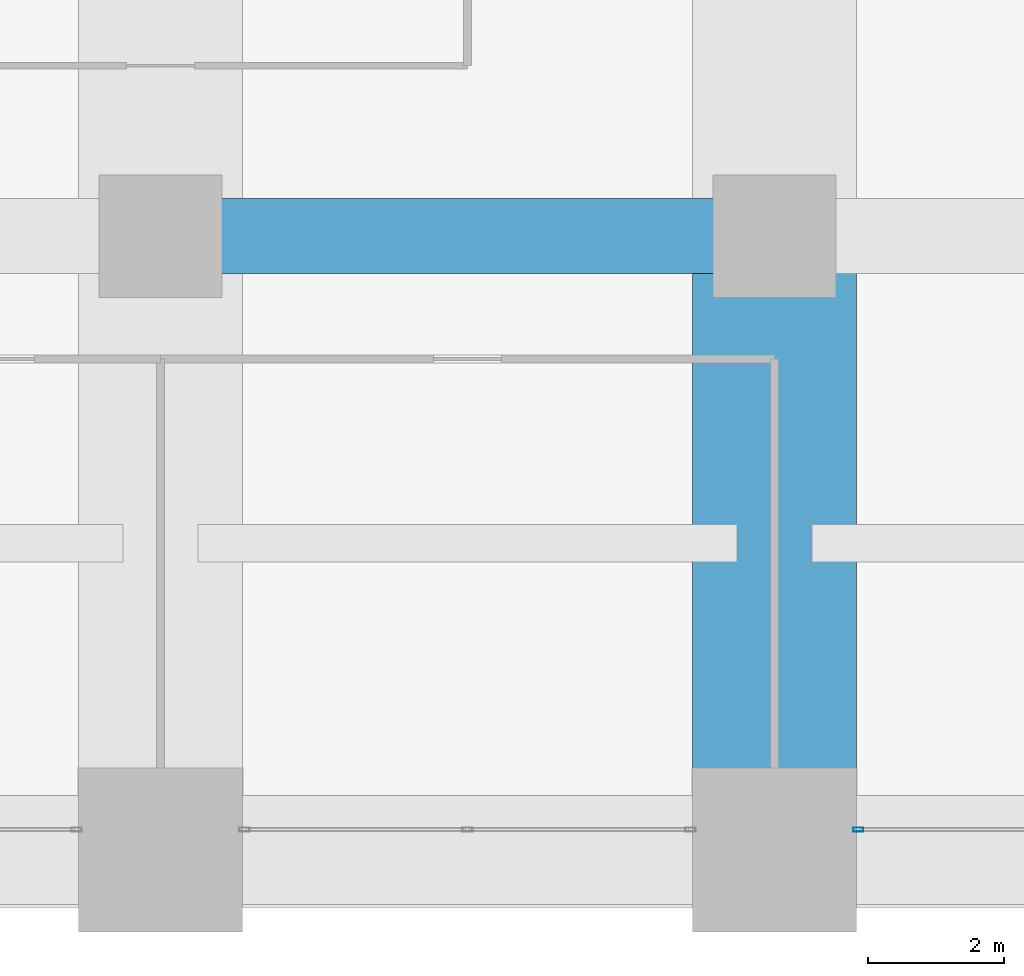
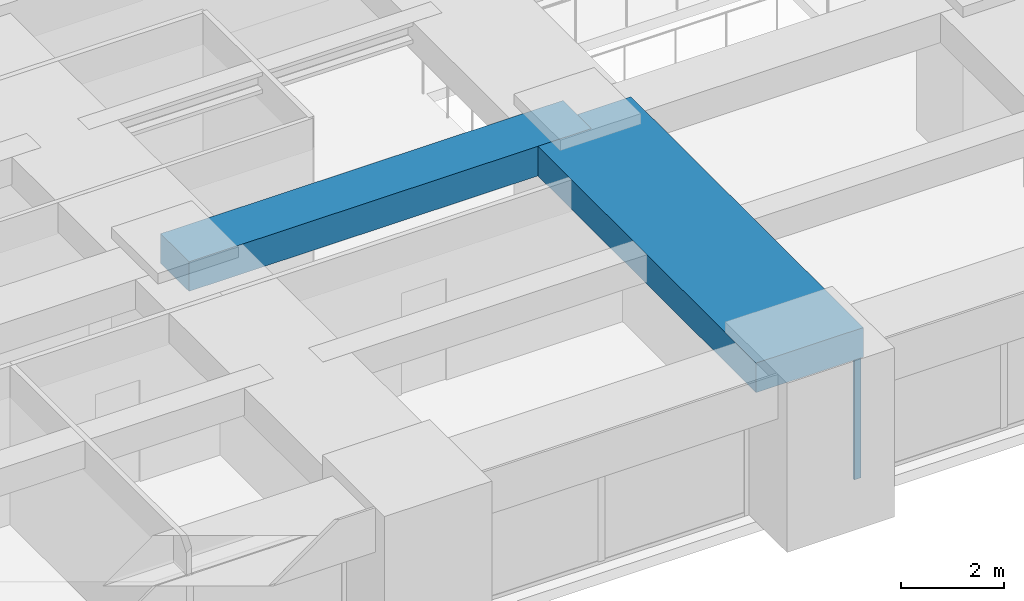
# One storey, part 7 of 43: 2 beams, 1 member, 1 element without a shape of its own.
"""IFC4 building model written with IfcOpenShell, lengths in metres."""

from ifc_helpers import new_model, si_unit, direction, frame, origin, origin_2d, place, context, subcontext, project, spatial, rectangle, hollow_rectangle, extrude, material, material_profile, profile_set, type_object, element, aggregate, save


model = new_model("IFC4")

# Units and contexts
model_context = context("Model", 3, precision=1e-05, world=origin(), true_north=direction((0.0, 1.0)))
body_context = subcontext(model_context, "Body", "Model", "MODEL_VIEW")
ifc_project = project(units=[si_unit("LENGTHUNIT", "METRE"), si_unit("AREAUNIT", "SQUARE_METRE"), si_unit("VOLUMEUNIT", "CUBIC_METRE"), si_unit("PLANEANGLEUNIT", "RADIAN"), si_unit("MASSUNIT", "GRAM", prefix="KILO")], contexts=[model_context])

# Site, building, storey
site_placement = place(None, origin())
site = spatial("IfcSite", under=ifc_project, at=site_placement, CompositionType="ELEMENT")
building_placement = place(site_placement, origin())
building = spatial("IfcBuilding", under=site, at=building_placement, Name="Zorevar Civic Tower", CompositionType="ELEMENT")
storey_placement = place(building_placement, frame((0.0, 0.0, 141.0)))
storey = spatial("IfcBuildingStorey", under=building, at=storey_placement, Name="L34", CompositionType="ELEMENT", Elevation=141.0)

# Beams
ifc_material_1 = material(Name="Concrete C50/60", Category="concrete")
ifc_material_profile_1 = material_profile(ifc_material_1, rectangle(XDim=1.10009765625, YDim=0.699951171875, at=origin_2d()), Name="RC 1100x700")
ifc_profile_set_1 = profile_set([ifc_material_profile_1], Name="Concrete C50/60")
beam_type_1 = type_object("IfcBeamType", Name="Beam RC 1100x700", PredefinedType="BEAM", material=ifc_profile_set_1)
beam_1_placement = place(storey_placement, frame((18.0, 9.0, 3.39990234375), z_axis=(1.0, 0.0, 0.0), x_axis=(0.0, 1.0, 0.0)))
element("IfcBeam", 1, at=beam_1_placement, inside=storey, type_object=beam_type_1, Name="Girder L35", PredefinedType="BEAM", context=body_context, shape_type="SweptSolid", body=[
    extrude(rectangle(XDim=1.10009765625, YDim=0.699951171875, at=origin_2d()), origin(), (0.0, 0.0, 1.0), 9.0),
])
ifc_material_2 = material(Name="Concrete C50/60", Category="concrete")
ifc_material_profile_2 = material_profile(ifc_material_2, rectangle(XDim=2.39990234375, YDim=0.699951171875, at=origin_2d()), Name="RC 2400x700")
ifc_profile_set_2 = profile_set([ifc_material_profile_2], Name="Concrete C50/60")
beam_type_2 = type_object("IfcBeamType", Name="Beam RC 2400x700", PredefinedType="BEAM", material=ifc_profile_set_2)
beam_2_placement = place(storey_placement, frame((27.0, 0.0, 3.39990234375), z_axis=(0.0, 1.0, 0.0), x_axis=(-1.0, 0.0, 0.0)))
element("IfcBeam", 2, at=beam_2_placement, inside=storey, type_object=beam_type_2, Name="Girder L35", PredefinedType="BEAM", context=body_context, shape_type="SweptSolid", body=[
    extrude(rectangle(XDim=2.39990234375, YDim=0.699951171875, at=origin_2d()), origin(), (0.0, 0.0, 1.0), 9.0),
])

# Curtain wall, member
ifc_material_3 = material(Name="Dark grey solar-control glass in black aluminium frame", Category="aluminium")
curtain_wall_type = type_object("IfcCurtainWallType", Name="Curtain wall CW3 mid zone", PredefinedType="NOTDEFINED", material=ifc_material_3)
curtain_wall_placement = place(storey_placement, origin())
curtain_wall = element("IfcCurtainWall", 3, at=curtain_wall_placement, inside=storey, type_object=curtain_wall_type, Name="CW3 L34", PredefinedType="NOTDEFINED")
ifc_material_4 = material(Name="Aluminium, black anodised", Category="aluminium")
ifc_material_profile_3 = material_profile(ifc_material_4, hollow_rectangle(XDim=0.06005859375, YDim=0.14990234375, WallThickness=0.00390625, at=origin_2d()), Name="AL 150x60x4")
ifc_profile_set_3 = profile_set([ifc_material_profile_3], Name="Aluminium, black anodised")
member_type = type_object("IfcMemberType", Name="CW3 mullion AL 150x60x4", PredefinedType="MULLION", material=ifc_profile_set_3)
member_placement = place(storey_placement, frame((28.22998046875, 0.300048828125, 0.0), z_axis=(0.0, 0.0, 1.0), x_axis=(0.0, 1.0, 0.0)))
member = element("IfcMember", 4, at=member_placement, type_object=member_type, Name="CW3 mullion 1", PredefinedType="MULLION", context=body_context, shape_type="SweptSolid", body=[
    extrude(hollow_rectangle(XDim=0.06005859375, YDim=0.14990234375, WallThickness=0.00390625, at=origin_2d()), origin(), (0.0, 0.0, 1.0), 2.949951171875),
])
aggregate(curtain_wall, [member])

save(model, "model.ifc")
